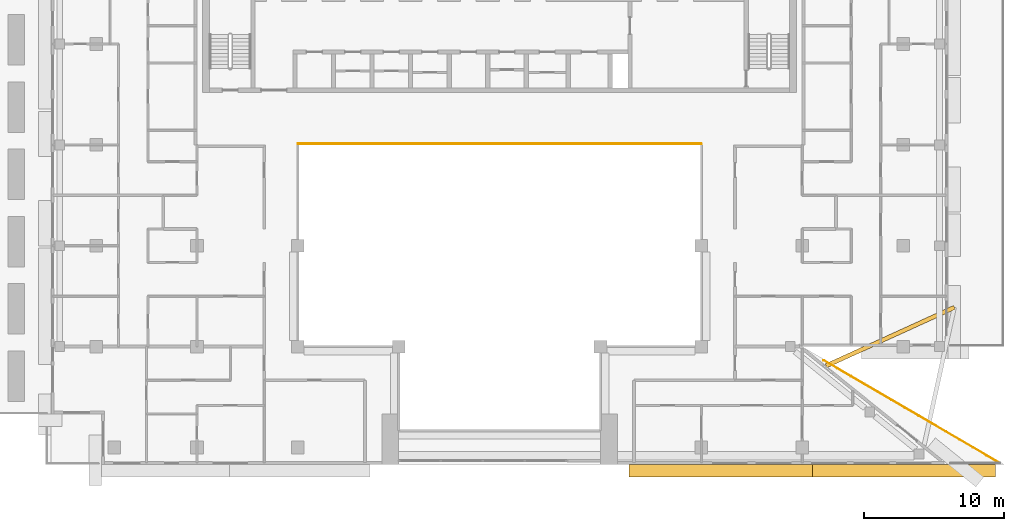
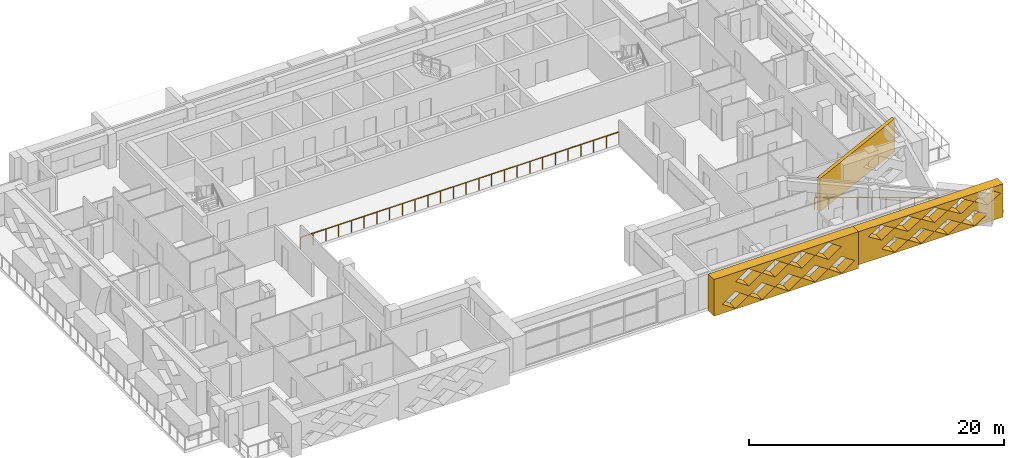
# One storey, part 15 of 19: 3 coverings, 2 railings.
"""IFC4 building model written with IfcOpenShell, lengths in metres."""

from ifc_helpers import new_model, si_unit, direction, frame, origin, origin_2d, place, context, subcontext, project, spatial, polyline, circle, outline, extrude, material, layer, layer_set, type_object, element, save


model = new_model("IFC4")

# Units and contexts
model_context = context("Model", 3, precision=1e-05, world=origin(), true_north=direction((0.0, 1.0)))
body_context = subcontext(model_context, "Body", "Model", "MODEL_VIEW")
ifc_project = project(units=[si_unit("LENGTHUNIT", "METRE"), si_unit("AREAUNIT", "SQUARE_METRE"), si_unit("VOLUMEUNIT", "CUBIC_METRE"), si_unit("PLANEANGLEUNIT", "RADIAN"), si_unit("MASSUNIT", "GRAM", prefix="KILO")], contexts=[model_context])

# Site, building, storey
site_placement = place(None, origin())
site = spatial("IfcSite", under=ifc_project, at=site_placement, CompositionType="ELEMENT")
building_placement = place(site_placement, origin())
building = spatial("IfcBuilding", under=site, at=building_placement, Name="Saffron Iwan Residences", CompositionType="ELEMENT")
storey_placement = place(building_placement, frame((0.0, 0.0, 211.5)))
storey = spatial("IfcBuildingStorey", under=building, at=storey_placement, Name="L56", CompositionType="ELEMENT", Elevation=211.5)

# Railing
ifc_material_1 = material(Name="Stainless steel 316", Category="steel")
railing_type_1 = type_object("IfcRailingType", Name="Atrium guard 1150", PredefinedType="GUARDRAIL", material=ifc_material_1)
railing_1_placement = place(storey_placement, frame((36.0, 62.47509765625, 0.0)))
element("IfcRailing", 1, at=railing_1_placement, inside=storey, type_object=railing_type_1, Name="Atrium guard L56", PredefinedType="GUARDRAIL", context=body_context, shape_type="SweptSolid", body=[
    extrude(circle(Radius=0.02392578125, at=origin_2d()), frame((0.0, 0.0, 1.1259765625), z_axis=(1.0, 0.0, 0.0), x_axis=(0.0, 1.0, 0.0)), (0.0, 0.0, 1.0), 28.800048828125),
    extrude(circle(Radius=0.02099609375, at=origin_2d()), origin(), (0.0, 0.0, 1.0), 1.101806640625),
    extrude(circle(Radius=0.02099609375, at=origin_2d()), frame((1.152099609375, 0.0, 0.0)), (0.0, 0.0, 1.0), 1.101806640625),
    extrude(circle(Radius=0.02099609375, at=origin_2d()), frame((2.303955078125, 0.0, 0.0)), (0.0, 0.0, 1.0), 1.101806640625),
    extrude(circle(Radius=0.02099609375, at=origin_2d()), frame((3.4560546875, 0.0, 0.0)), (0.0, 0.0, 1.0), 1.101806640625),
    extrude(circle(Radius=0.02099609375, at=origin_2d()), frame((4.60791015625, 0.0, 0.0)), (0.0, 0.0, 1.0), 1.101806640625),
    extrude(circle(Radius=0.02099609375, at=origin_2d()), frame((5.760009765625, 0.0, 0.0)), (0.0, 0.0, 1.0), 1.101806640625),
    extrude(circle(Radius=0.02099609375, at=origin_2d()), frame((6.912109375, 0.0, 0.0)), (0.0, 0.0, 1.0), 1.101806640625),
    extrude(circle(Radius=0.02099609375, at=origin_2d()), frame((8.06396484375, 0.0, 0.0)), (0.0, 0.0, 1.0), 1.101806640625),
    extrude(circle(Radius=0.02099609375, at=origin_2d()), frame((9.216064453125, 0.0, 0.0)), (0.0, 0.0, 1.0), 1.101806640625),
    extrude(circle(Radius=0.02099609375, at=origin_2d()), frame((10.367919921875, 0.0, 0.0)), (0.0, 0.0, 1.0), 1.101806640625),
    extrude(circle(Radius=0.02099609375, at=origin_2d()), frame((11.52001953125, 0.0, 0.0)), (0.0, 0.0, 1.0), 1.101806640625),
    extrude(circle(Radius=0.02099609375, at=origin_2d()), frame((12.672119140625, 0.0, 0.0)), (0.0, 0.0, 1.0), 1.101806640625),
    extrude(circle(Radius=0.02099609375, at=origin_2d()), frame((13.823974609375, 0.0, 0.0)), (0.0, 0.0, 1.0), 1.101806640625),
    extrude(circle(Radius=0.02099609375, at=origin_2d()), frame((14.97607421875, 0.0, 0.0)), (0.0, 0.0, 1.0), 1.101806640625),
    extrude(circle(Radius=0.02099609375, at=origin_2d()), frame((16.1279296875, 0.0, 0.0)), (0.0, 0.0, 1.0), 1.101806640625),
    extrude(circle(Radius=0.02099609375, at=origin_2d()), frame((17.280029296875, 0.0, 0.0)), (0.0, 0.0, 1.0), 1.101806640625),
    extrude(circle(Radius=0.02099609375, at=origin_2d()), frame((18.43212890625, 0.0, 0.0)), (0.0, 0.0, 1.0), 1.101806640625),
    extrude(circle(Radius=0.02099609375, at=origin_2d()), frame((19.583984375, 0.0, 0.0)), (0.0, 0.0, 1.0), 1.101806640625),
    extrude(circle(Radius=0.02099609375, at=origin_2d()), frame((20.736083984375, 0.0, 0.0)), (0.0, 0.0, 1.0), 1.101806640625),
    extrude(circle(Radius=0.02099609375, at=origin_2d()), frame((21.887939453125, 0.0, 0.0)), (0.0, 0.0, 1.0), 1.101806640625),
    extrude(circle(Radius=0.02099609375, at=origin_2d()), frame((23.0400390625, 0.0, 0.0)), (0.0, 0.0, 1.0), 1.101806640625),
    extrude(circle(Radius=0.02099609375, at=origin_2d()), frame((24.192138671875, 0.0, 0.0)), (0.0, 0.0, 1.0), 1.101806640625),
    extrude(circle(Radius=0.02099609375, at=origin_2d()), frame((25.343994140625, 0.0, 0.0)), (0.0, 0.0, 1.0), 1.101806640625),
    extrude(circle(Radius=0.02099609375, at=origin_2d()), frame((26.49609375, 0.0, 0.0)), (0.0, 0.0, 1.0), 1.101806640625),
    extrude(circle(Radius=0.02099609375, at=origin_2d()), frame((27.64794921875, 0.0, 0.0)), (0.0, 0.0, 1.0), 1.101806640625),
    extrude(circle(Radius=0.02099609375, at=origin_2d()), frame((28.800048828125, 0.0, 0.0)), (0.0, 0.0, 1.0), 1.101806640625),
])

# Coverings
ifc_material_2 = material(Name="Precast concrete C40/50", Category="concrete")
covering_type_1 = type_object("IfcCoveringType", Name="OUTER SKIN LATTICE SCREEN", PredefinedType="CLADDING", material=ifc_material_2)
covering_1_placement = place(storey_placement, frame((59.64990234375, 39.60009765625, -0.280029296875), z_axis=(0.0, -1.0, 0.0), x_axis=(1.0, 0.0, 0.0)))
element("IfcCovering", 2, at=covering_1_placement, inside=storey, type_object=covering_type_1, Name="OUTER SKIN lattice screen L56 F11.2", PredefinedType="CLADDING", context=body_context, shape_type="SweptSolid", body=[
    extrude(outline(polyline([(0.0, 0.0), (13.07275390625, 0.0), (13.07275390625, 3.5), (0.0, 3.5), (0.0, 0.0)]), holes=[polyline([(0.77001953125, 0.875), (1.949951171875, 0.06005859375), (3.1298828125, 0.875), (1.949951171875, 1.68994140625), (0.77001953125, 0.875)]), polyline([(3.169921875, 0.875), (4.35009765625, 0.06005859375), (5.530029296875, 0.875), (4.35009765625, 1.68994140625), (3.169921875, 0.875)]), polyline([(5.570068359375, 0.875), (6.75, 0.06005859375), (7.929931640625, 0.875), (6.75, 1.68994140625), (5.570068359375, 0.875)]), polyline([(7.969970703125, 0.875), (9.14990234375, 0.06005859375), (10.330078125, 0.875), (9.14990234375, 1.68994140625), (7.969970703125, 0.875)]), polyline([(10.3701171875, 0.875), (11.550048828125, 0.06005859375), (12.72998046875, 0.875), (11.550048828125, 1.68994140625), (10.3701171875, 0.875)]), polyline([(1.969970703125, 2.625), (3.14990234375, 1.81005859375), (4.330078125, 2.625), (3.14990234375, 3.43994140625), (1.969970703125, 2.625)]), polyline([(4.3701171875, 2.625), (5.550048828125, 1.81005859375), (6.72998046875, 2.625), (5.550048828125, 3.43994140625), (4.3701171875, 2.625)]), polyline([(6.77001953125, 2.625), (7.949951171875, 1.81005859375), (9.1298828125, 2.625), (7.949951171875, 3.43994140625), (6.77001953125, 2.625)]), polyline([(9.169921875, 2.625), (10.35009765625, 1.81005859375), (11.530029296875, 2.625), (10.35009765625, 3.43994140625), (9.169921875, 2.625)])]), origin(), (0.0, 0.0, 1.0), 0.900146484375),
])
covering_2_placement = place(storey_placement, frame((72.72265625, 39.60009765625, 0.050048828125), z_axis=(0.0, -1.0, 0.0), x_axis=(1.0, 0.0, 0.0)))
element("IfcCovering", 3, at=covering_2_placement, inside=storey, type_object=covering_type_1, Name="OUTER SKIN lattice screen L56 F11.3", PredefinedType="CLADDING", context=body_context, shape_type="SweptSolid", body=[
    extrude(outline(polyline([(0.0, 0.0), (13.07275390625, 0.0), (13.07275390625, 3.169921875), (0.0, 3.169921875), (0.0, 0.0)]), holes=[polyline([(2.097412109375, 0.79248046875), (3.27734375, 0.06005859375), (4.457275390625, 0.79248046875), (3.27734375, 1.52490234375), (2.097412109375, 0.79248046875)]), polyline([(4.497314453125, 0.79248046875), (5.67724609375, 0.06005859375), (6.857421875, 0.79248046875), (5.67724609375, 1.52490234375), (4.497314453125, 0.79248046875)]), polyline([(6.897216796875, 0.79248046875), (8.0771484375, 0.06005859375), (9.257080078125, 0.79248046875), (8.0771484375, 1.52490234375), (6.897216796875, 0.79248046875)]), polyline([(9.29736328125, 0.79248046875), (10.477294921875, 0.06005859375), (11.6572265625, 0.79248046875), (10.477294921875, 1.52490234375), (9.29736328125, 0.79248046875)]), polyline([(0.897216796875, 2.37744140625), (2.077392578125, 1.64501953125), (3.25732421875, 2.37744140625), (2.077392578125, 3.110107421875), (0.897216796875, 2.37744140625)]), polyline([(3.29736328125, 2.37744140625), (4.477294921875, 1.64501953125), (5.6572265625, 2.37744140625), (4.477294921875, 3.110107421875), (3.29736328125, 2.37744140625)]), polyline([(5.697265625, 2.37744140625), (6.877197265625, 1.64501953125), (8.057373046875, 2.37744140625), (6.877197265625, 3.110107421875), (5.697265625, 2.37744140625)]), polyline([(8.097412109375, 2.37744140625), (9.27734375, 1.64501953125), (10.457275390625, 2.37744140625), (9.27734375, 3.110107421875), (8.097412109375, 2.37744140625)]), polyline([(10.497314453125, 2.37744140625), (11.67724609375, 1.64501953125), (12.857421875, 2.37744140625), (11.67724609375, 3.110107421875), (10.497314453125, 2.37744140625)])]), origin(), (0.0, 0.0, 1.0), 0.900146484375),
])
ifc_material_3 = material(Name="Precast concrete C40/50 white painted", Category="concrete")
ifc_layer = layer(ifc_material_3, 0.300048828125)
ifc_layer_set = layer_set([ifc_layer], Name="Precast concrete C40/50 white painted")
covering_type_2 = type_object("IfcCoveringType", Name="PROW NOSE BLADE PRECAST WHITE", PredefinedType="CLADDING", material=ifc_layer_set)
covering_3_placement = place(storey_placement, frame((0.0, 0.0, 0.050048828125)))
element("IfcCovering", 4, at=covering_3_placement, inside=storey, type_object=covering_type_2, Name="Prow nose blade L56 b", PredefinedType="CLADDING", context=body_context, shape_type="SweptSolid", body=[
    extrude(outline(polyline([(73.761474609375, 46.490966796875), (82.917236328125, 50.6650390625), (82.792724609375, 50.93798828125), (73.636962890625, 46.763916015625), (73.761474609375, 46.490966796875)])), origin(), (0.0, 0.0, 1.0), 3.169921875),
])

# Railing
railing_type_2 = type_object("IfcRailingType", Name="TERRACE GUARD 1150", PredefinedType="BALUSTRADE", material=ifc_material_1)
railing_2_placement = place(storey_placement, frame((73.532958984375, 47.01904296875, 0.050048828125)))
element("IfcRailing", 5, at=railing_2_placement, inside=storey, type_object=railing_type_2, Name="Terrace guard L56 4", PredefinedType="BALUSTRADE", context=body_context, shape_type="SweptSolid", body=[
    extrude(circle(Radius=0.02392578125, at=origin_2d()), frame((0.0, 0.0, 1.1259765625), z_axis=(0.863777078291, -0.503874149981, 0.0), x_axis=(0.503874149981, 0.863777078291, 0.0)), (0.0, 0.0, 1.0), 14.574951171875),
    extrude(circle(Radius=0.02099609375, at=origin_2d()), origin(), (0.0, 0.0, 1.0), 1.101806640625),
    extrude(circle(Radius=0.02099609375, at=origin_2d()), frame((0.968505859375, -0.56494140625, 0.0)), (0.0, 0.0, 1.0), 1.101806640625),
    extrude(circle(Radius=0.02099609375, at=origin_2d()), frame((1.936767578125, -1.1298828125, 0.0)), (0.0, 0.0, 1.0), 1.101806640625),
    extrude(circle(Radius=0.02099609375, at=origin_2d()), frame((2.9052734375, -1.69482421875, 0.0)), (0.0, 0.0, 1.0), 1.101806640625),
    extrude(circle(Radius=0.02099609375, at=origin_2d()), frame((3.873779296875, -2.259765625, 0.0)), (0.0, 0.0, 1.0), 1.101806640625),
    extrude(circle(Radius=0.02099609375, at=origin_2d()), frame((4.842041015625, -2.82470703125, 0.0)), (0.0, 0.0, 1.0), 1.101806640625),
    extrude(circle(Radius=0.02099609375, at=origin_2d()), frame((5.810546875, -3.3896484375, 0.0)), (0.0, 0.0, 1.0), 1.101806640625),
    extrude(circle(Radius=0.02099609375, at=origin_2d()), frame((6.779052734375, -3.954345703125, 0.0)), (0.0, 0.0, 1.0), 1.101806640625),
    extrude(circle(Radius=0.02099609375, at=origin_2d()), frame((7.74755859375, -4.519287109375, 0.0)), (0.0, 0.0, 1.0), 1.101806640625),
    extrude(circle(Radius=0.02099609375, at=origin_2d()), frame((8.7158203125, -5.084228515625, 0.0)), (0.0, 0.0, 1.0), 1.101806640625),
    extrude(circle(Radius=0.02099609375, at=origin_2d()), frame((9.684326171875, -5.649169921875, 0.0)), (0.0, 0.0, 1.0), 1.101806640625),
    extrude(circle(Radius=0.02099609375, at=origin_2d()), frame((10.65283203125, -6.214111328125, 0.0)), (0.0, 0.0, 1.0), 1.101806640625),
    extrude(circle(Radius=0.02099609375, at=origin_2d()), frame((11.62109375, -6.779052734375, 0.0)), (0.0, 0.0, 1.0), 1.101806640625),
    extrude(circle(Radius=0.02099609375, at=origin_2d()), frame((12.589599609375, -7.343994140625, 0.0)), (0.0, 0.0, 1.0), 1.101806640625),
])

save(model, "model.ifc")
